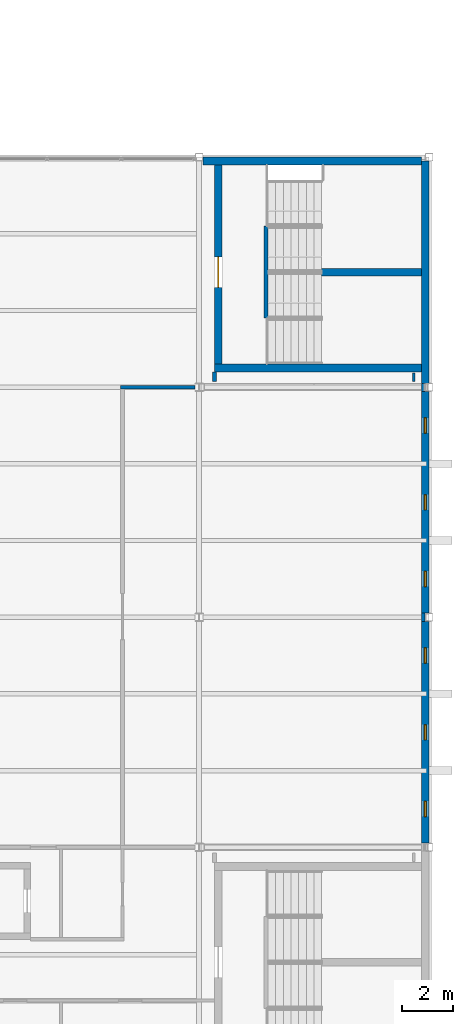
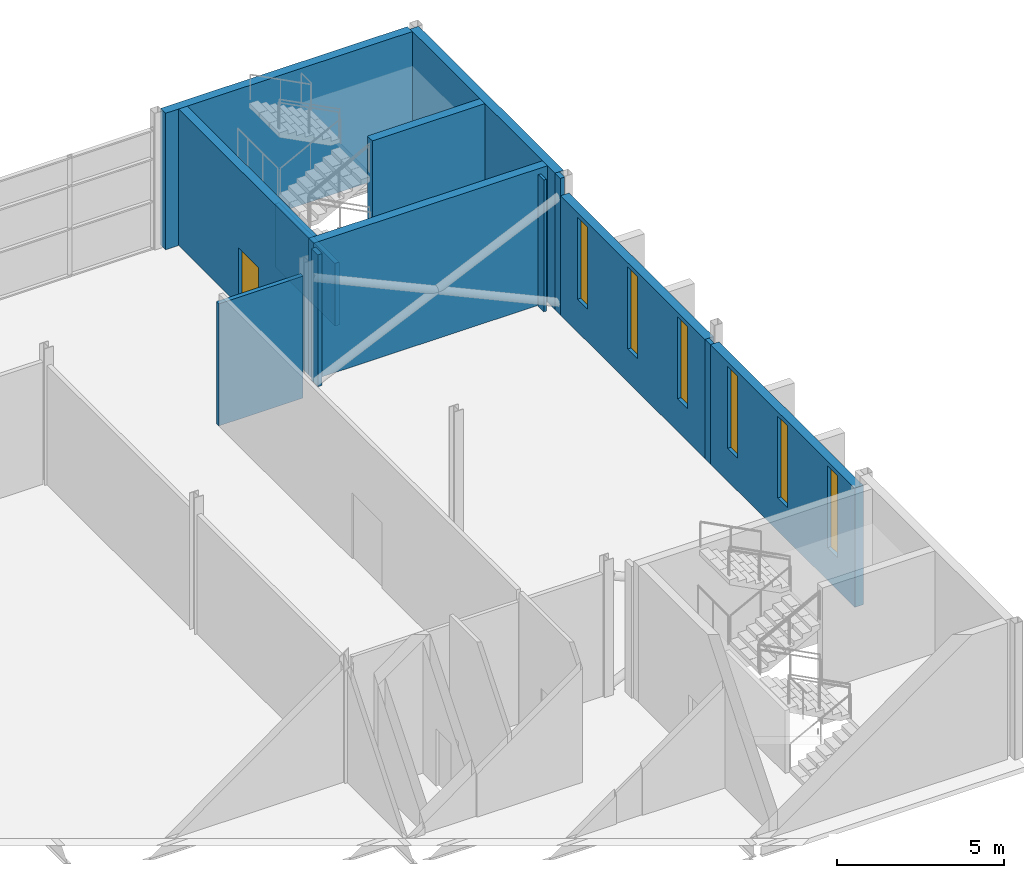
# One storey, part 89 of 112: 13 walls, 6 windows, 1 door, 7 openings.
"""IFC4 building model written with IfcOpenShell, lengths in metres."""

from ifc_helpers import new_model, si_unit, direction, frame, frame_2d, origin, place, context, subcontext, project, spatial, rectangle, extrude, material, layer, layer_set, type_object, element, fill, save


model = new_model("IFC4")

# Units and contexts
model_context = context("Model", 3, precision=1e-05, world=origin(), true_north=direction((0.0, 1.0)))
body_context = subcontext(model_context, "Body", "Model", "MODEL_VIEW")
ifc_project = project(units=[si_unit("LENGTHUNIT", "METRE"), si_unit("AREAUNIT", "SQUARE_METRE"), si_unit("VOLUMEUNIT", "CUBIC_METRE"), si_unit("PLANEANGLEUNIT", "RADIAN"), si_unit("MASSUNIT", "GRAM", prefix="KILO")], contexts=[model_context])

# Site, building, storey
site_placement = place(None, origin())
site = spatial("IfcSite", under=ifc_project, at=site_placement, CompositionType="ELEMENT")
building_placement = place(site_placement, origin())
building = spatial("IfcBuilding", under=site, at=building_placement, Name="Shorebreak Coast Museum", CompositionType="ELEMENT")
storey_placement = place(building_placement, frame((0.0, 0.0, 6.0)))
storey = spatial("IfcBuildingStorey", under=building, at=storey_placement, Name="L01", CompositionType="ELEMENT", Elevation=6.0)

# Walls
ifc_material_1 = material(Name="Concrete N50 (50 MPa)", Category="concrete")
ifc_layer_1 = layer(ifc_material_1, 0.14990234375)
ifc_layer_set_1 = layer_set([ifc_layer_1], Name="Concrete N50 (50 MPa)")
wall_type_1 = type_object("IfcWallType", Name="Column closure panel 150", PredefinedType="SOLIDWALL", material=ifc_layer_set_1)
wall_1_placement = place(storey_placement, frame((170.77490234375, 71.839111328125, 0.0), z_axis=(0.0, 0.0, 1.0), x_axis=(0.0, 1.0, 0.0)))
element("IfcWall", 1, at=wall_1_placement, inside=storey, type_object=wall_type_1, Name="Column closure panel L01 E 20J", PredefinedType="SOLIDWALL", context=body_context, shape_type="SweptSolid", body=[
    extrude(rectangle(XDim=0.32177734375, YDim=0.14990234375, at=frame_2d((0.160888671875, 0.0))), origin(), (0.0, 0.0, 1.0), 4.364501953125),
])
wall_2_placement = place(storey_placement, frame((170.77490234375, 80.827880859375, 0.0), z_axis=(0.0, 0.0, 1.0), x_axis=(0.0, 1.0, 0.0)))
element("IfcWall", 2, at=wall_2_placement, inside=storey, type_object=wall_type_1, Name="Column closure panel L01 E 20K", PredefinedType="SOLIDWALL", context=body_context, shape_type="SweptSolid", body=[
    extrude(rectangle(XDim=0.322021484375, YDim=0.14990234375, at=frame_2d((0.1611328125, 0.0))), origin(), (0.0, 0.0, 1.0), 5.0),
])
ifc_material_2 = material(Name="Plasterboard on steel stud", Category="steel")
ifc_layer_2 = layer(ifc_material_2, 0.14990234375)
ifc_layer_set_2 = layer_set([ifc_layer_2], Name="Plasterboard on steel stud")
wall_type_2 = type_object("IfcWallType", Name="Fire partition 150", PredefinedType="PARTITIONING", material=ifc_layer_set_2)
wall_3_placement = place(storey_placement, frame((158.925048828125, 81.0, 0.0), z_axis=(0.0, 0.0, 1.0), x_axis=(1.0, 0.0, 0.0)))
element("IfcWall", 3, at=wall_3_placement, inside=storey, type_object=wall_type_2, Name="Partition L01-056", PredefinedType="PARTITIONING", context=body_context, shape_type="SweptSolid", body=[
    extrude(rectangle(XDim=2.92041015625, YDim=0.14990234375, at=frame_2d((1.460205078125, 0.0))), origin(), (0.0, 0.0, 1.0), 4.469482421875),
])
wall_4_placement = place(storey_placement, frame((162.60009765625, 81.219970703125, 0.0), z_axis=(0.0, 0.0, 1.0), x_axis=(0.0, 1.0, 0.0)))
element("IfcWall", 4, at=wall_4_placement, inside=storey, type_object=wall_type_2, Name="Partition L01-183", PredefinedType="PARTITIONING", context=body_context, shape_type="SweptSolid", body=[
    extrude(rectangle(XDim=0.380126953125, YDim=0.14990234375, at=frame_2d((0.18994140625, 0.0))), origin(), (0.0, 0.0, 1.0), 4.824951171875),
])
ifc_material_3 = material(Name="Plasterboard on steel stud", Category="steel")
ifc_layer_3 = layer(ifc_material_3, 0.10009765625)
ifc_layer_set_3 = layer_set([ifc_layer_3], Name="Plasterboard on steel stud")
wall_type_3 = type_object("IfcWallType", Name="Partition 100", PredefinedType="PARTITIONING", material=ifc_layer_set_3)
wall_5_placement = place(storey_placement, frame((170.39990234375, 81.219970703125, 0.0), z_axis=(0.0, 0.0, 1.0), x_axis=(0.0, 1.0, 0.0)))
element("IfcWall", 5, at=wall_5_placement, inside=storey, type_object=wall_type_3, Name="Partition L01-185", PredefinedType="PARTITIONING", context=body_context, shape_type="SweptSolid", body=[
    extrude(rectangle(XDim=0.330078125, YDim=0.10009765625, at=frame_2d((0.1650390625, 0.0))), origin(), (0.0, 0.0, 1.0), 4.824951171875),
])

# Wall, openings, windows
ifc_material_4 = material(Name="Concrete N50 (50 MPa)", Category="concrete")
ifc_layer_4 = layer(ifc_material_4, 0.300048828125)
ifc_layer_set_4 = layer_set([ifc_layer_4], Name="Concrete N50 (50 MPa)")
wall_type_4 = type_object("IfcWallType", Name="Precast board-marked panel 300", PredefinedType="SOLIDWALL", material=ifc_layer_set_4)
wall_6_placement = place(storey_placement, frame((170.85009765625, 63.172119140625, 0.0), z_axis=(0.0, 0.0, 1.0), x_axis=(0.0, 1.0, 0.0)))
wall_6 = element("IfcWall", 6, at=wall_6_placement, inside=storey, type_object=wall_type_4, Name="External wall L01 E 20H", PredefinedType="SOLIDWALL", context=body_context, shape_type="SweptSolid", body=[
    extrude(rectangle(XDim=8.6669921875, YDim=0.300048828125, at=frame_2d((4.33349609375, 0.0))), origin(), (0.0, 0.0, 1.0), 4.364501953125),
])
opening_1_placement = place(wall_6_placement, frame((1.028076171875, 0.0, 1.199951171875)))
opening_1 = element("IfcOpeningElement", 7, at=opening_1_placement, cuts=wall_6, Name="Opening WN1008", PredefinedType="OPENING", context=body_context, shape_type="SweptSolid", body=[
    extrude(rectangle(XDim=0.60009765625, YDim=3.0, at=frame_2d((0.300048828125, 1.5))), frame((0.0, 0.159912109375, 0.0), z_axis=(0.0, -1.0, 0.0), x_axis=(1.0, 0.0, 0.0)), (0.0, 0.0, 1.0), 0.320068359375),
])
opening_2_placement = place(wall_6_placement, frame((4.028076171875, 0.0, 1.199951171875)))
opening_2 = element("IfcOpeningElement", 8, at=opening_2_placement, cuts=wall_6, Name="Opening WN1009", PredefinedType="OPENING", context=body_context, shape_type="SweptSolid", body=[
    extrude(rectangle(XDim=0.60009765625, YDim=3.0, at=frame_2d((0.300048828125, 1.5))), frame((0.0, 0.159912109375, 0.0), z_axis=(0.0, -1.0, 0.0), x_axis=(1.0, 0.0, 0.0)), (0.0, 0.0, 1.0), 0.320068359375),
])
opening_3_placement = place(wall_6_placement, frame((7.028076171875, 0.0, 1.199951171875)))
opening_3 = element("IfcOpeningElement", 9, at=opening_3_placement, cuts=wall_6, Name="Opening WN1010", PredefinedType="OPENING", context=body_context, shape_type="SweptSolid", body=[
    extrude(rectangle(XDim=0.60009765625, YDim=3.0, at=frame_2d((0.300048828125, 1.5))), frame((0.0, 0.159912109375, 0.0), z_axis=(0.0, -1.0, 0.0), x_axis=(1.0, 0.0, 0.0)), (0.0, 0.0, 1.0), 0.320068359375),
])
ifc_material_5 = material(Name="Aluminium", Category="aluminium")
window_type = type_object("IfcWindowType", Name="Hall slot window 600 x 3000", PartitioningType="SINGLE_PANEL", PredefinedType="WINDOW", material=ifc_material_5)
window_1_placement = place(opening_1_placement, origin())
window_1 = element("IfcWindow", 10, at=window_1_placement, inside=storey, type_object=window_type, Name="Window WN1008", OverallHeight=3.0, OverallWidth=0.60009765625, PartitioningType="SINGLE_PANEL", PredefinedType="WINDOW", context=body_context, shape_type="SweptSolid", body=[
    extrude(rectangle(XDim=0.60009765625, YDim=3.0, at=frame_2d((0.300048828125, 1.5))), frame((0.0, 0.030029296875, 0.0), z_axis=(0.0, -1.0, 0.0), x_axis=(1.0, 0.0, 0.0)), (0.0, 0.0, 1.0), 0.06005859375),
])
fill(opening_1, window_1)
window_2_placement = place(opening_2_placement, origin())
window_2 = element("IfcWindow", 11, at=window_2_placement, inside=storey, type_object=window_type, Name="Window WN1009", OverallHeight=3.0, OverallWidth=0.60009765625, PartitioningType="SINGLE_PANEL", PredefinedType="WINDOW", context=body_context, shape_type="SweptSolid", body=[
    extrude(rectangle(XDim=0.60009765625, YDim=3.0, at=frame_2d((0.300048828125, 1.5))), frame((0.0, 0.030029296875, 0.0), z_axis=(0.0, -1.0, 0.0), x_axis=(1.0, 0.0, 0.0)), (0.0, 0.0, 1.0), 0.06005859375),
])
fill(opening_2, window_2)
window_3_placement = place(opening_3_placement, origin())
window_3 = element("IfcWindow", 12, at=window_3_placement, inside=storey, type_object=window_type, Name="Window WN1010", OverallHeight=3.0, OverallWidth=0.60009765625, PartitioningType="SINGLE_PANEL", PredefinedType="WINDOW", context=body_context, shape_type="SweptSolid", body=[
    extrude(rectangle(XDim=0.60009765625, YDim=3.0, at=frame_2d((0.300048828125, 1.5))), frame((0.0, 0.030029296875, 0.0), z_axis=(0.0, -1.0, 0.0), x_axis=(1.0, 0.0, 0.0)), (0.0, 0.0, 1.0), 0.06005859375),
])
fill(opening_3, window_3)

wall_7_placement = place(storey_placement, frame((170.85009765625, 72.160888671875, 0.0), z_axis=(0.0, 0.0, 1.0), x_axis=(0.0, 1.0, 0.0)))
wall_7 = element("IfcWall", 13, at=wall_7_placement, inside=storey, type_object=wall_type_4, Name="External wall L01 E 20J", PredefinedType="SOLIDWALL", context=body_context, shape_type="SweptSolid", body=[
    extrude(rectangle(XDim=8.6669921875, YDim=0.300048828125, at=frame_2d((4.33349609375, 0.0))), origin(), (0.0, 0.0, 1.0), 4.364501953125),
])
opening_4_placement = place(wall_7_placement, frame((1.0390625, 0.0, 1.199951171875)))
opening_4 = element("IfcOpeningElement", 14, at=opening_4_placement, cuts=wall_7, Name="Opening WN1011", PredefinedType="OPENING", context=body_context, shape_type="SweptSolid", body=[
    extrude(rectangle(XDim=0.60009765625, YDim=3.0, at=frame_2d((0.300048828125, 1.5))), frame((0.0, 0.159912109375, 0.0), z_axis=(0.0, -1.0, 0.0), x_axis=(1.0, 0.0, 0.0)), (0.0, 0.0, 1.0), 0.320068359375),
])
opening_5_placement = place(wall_7_placement, frame((4.0390625, 0.0, 1.199951171875)))
opening_5 = element("IfcOpeningElement", 15, at=opening_5_placement, cuts=wall_7, Name="Opening WN1012", PredefinedType="OPENING", context=body_context, shape_type="SweptSolid", body=[
    extrude(rectangle(XDim=0.60009765625, YDim=3.0, at=frame_2d((0.300048828125, 1.5))), frame((0.0, 0.159912109375, 0.0), z_axis=(0.0, -1.0, 0.0), x_axis=(1.0, 0.0, 0.0)), (0.0, 0.0, 1.0), 0.320068359375),
])
opening_6_placement = place(wall_7_placement, frame((7.0390625, 0.0, 1.199951171875)))
opening_6 = element("IfcOpeningElement", 16, at=opening_6_placement, cuts=wall_7, Name="Opening WN1013", PredefinedType="OPENING", context=body_context, shape_type="SweptSolid", body=[
    extrude(rectangle(XDim=0.60009765625, YDim=3.0, at=frame_2d((0.300048828125, 1.5))), frame((0.0, 0.159912109375, 0.0), z_axis=(0.0, -1.0, 0.0), x_axis=(1.0, 0.0, 0.0)), (0.0, 0.0, 1.0), 0.320068359375),
])
window_4_placement = place(opening_4_placement, origin())
window_4 = element("IfcWindow", 17, at=window_4_placement, inside=storey, type_object=window_type, Name="Window WN1011", OverallHeight=3.0, OverallWidth=0.60009765625, PartitioningType="SINGLE_PANEL", PredefinedType="WINDOW", context=body_context, shape_type="SweptSolid", body=[
    extrude(rectangle(XDim=0.60009765625, YDim=3.0, at=frame_2d((0.300048828125, 1.5))), frame((0.0, 0.030029296875, 0.0), z_axis=(0.0, -1.0, 0.0), x_axis=(1.0, 0.0, 0.0)), (0.0, 0.0, 1.0), 0.06005859375),
])
fill(opening_4, window_4)
window_5_placement = place(opening_5_placement, origin())
window_5 = element("IfcWindow", 18, at=window_5_placement, inside=storey, type_object=window_type, Name="Window WN1012", OverallHeight=3.0, OverallWidth=0.60009765625, PartitioningType="SINGLE_PANEL", PredefinedType="WINDOW", context=body_context, shape_type="SweptSolid", body=[
    extrude(rectangle(XDim=0.60009765625, YDim=3.0, at=frame_2d((0.300048828125, 1.5))), frame((0.0, 0.030029296875, 0.0), z_axis=(0.0, -1.0, 0.0), x_axis=(1.0, 0.0, 0.0)), (0.0, 0.0, 1.0), 0.06005859375),
])
fill(opening_5, window_5)
window_6_placement = place(opening_6_placement, origin())
window_6 = element("IfcWindow", 19, at=window_6_placement, inside=storey, type_object=window_type, Name="Window WN1013", OverallHeight=3.0, OverallWidth=0.60009765625, PartitioningType="SINGLE_PANEL", PredefinedType="WINDOW", context=body_context, shape_type="SweptSolid", body=[
    extrude(rectangle(XDim=0.60009765625, YDim=3.0, at=frame_2d((0.300048828125, 1.5))), frame((0.0, 0.030029296875, 0.0), z_axis=(0.0, -1.0, 0.0), x_axis=(1.0, 0.0, 0.0)), (0.0, 0.0, 1.0), 0.06005859375),
])
fill(opening_6, window_6)

# Walls
ifc_material_6 = material(Name="Concrete N50 (50 MPa)", Category="concrete")
ifc_layer_5 = layer(ifc_material_6, 0.300048828125)
ifc_layer_set_5 = layer_set([ifc_layer_5], Name="Concrete N50 (50 MPa)")
wall_type_5 = type_object("IfcWallType", Name="RC wall 300", PredefinedType="SHEAR", material=ifc_layer_set_5)
wall_8_placement = place(storey_placement, frame((162.60009765625, 81.75, 0.0), z_axis=(0.0, 0.0, 1.0), x_axis=(1.0, 0.0, 0.0)))
element("IfcWall", 20, at=wall_8_placement, inside=storey, type_object=wall_type_5, Name="Stair core wall ST08 L01 S", PredefinedType="SHEAR", context=body_context, shape_type="SweptSolid", body=[
    extrude(rectangle(XDim=8.099853515625, YDim=0.300048828125, at=frame_2d((4.0498046875, 0.0))), origin(), (0.0, 0.0, 1.0), 5.0),
])
wall_9_placement = place(storey_placement, frame((162.14990234375, 89.85009765625, 0.0), z_axis=(0.0, 0.0, 1.0), x_axis=(1.0, 0.0, 0.0)))
element("IfcWall", 21, at=wall_9_placement, inside=storey, type_object=wall_type_5, Name="Stair core wall ST08 L01 N", PredefinedType="SHEAR", context=body_context, shape_type="SweptSolid", body=[
    extrude(rectangle(XDim=8.550048828125, YDim=0.300048828125, at=frame_2d((4.27490234375, 0.0))), origin(), (0.0, 0.0, 1.0), 5.0),
])

# Wall, opening, door
wall_10_placement = place(storey_placement, frame((162.75, 81.89990234375, 0.0), z_axis=(0.0, 0.0, 1.0), x_axis=(0.0, 1.0, 0.0)))
wall_10 = element("IfcWall", 22, at=wall_10_placement, inside=storey, type_object=wall_type_5, Name="Stair core wall ST08 L01 W", PredefinedType="SHEAR", context=body_context, shape_type="SweptSolid", body=[
    extrude(rectangle(XDim=7.800048828125, YDim=0.300048828125, at=frame_2d((3.89990234375, 0.0))), origin(), (0.0, 0.0, 1.0), 5.0),
])
opening_7_placement = place(wall_10_placement, frame((3.0, 0.0, 0.0)))
opening_7 = element("IfcOpeningElement", 23, at=opening_7_placement, cuts=wall_10, Name="Opening D1808", PredefinedType="OPENING", context=body_context, shape_type="SweptSolid", body=[
    extrude(rectangle(XDim=1.199951171875, YDim=2.10009765625, at=frame_2d((0.60009765625, 1.050048828125))), frame((0.0, 0.159912109375, 0.0), z_axis=(0.0, -1.0, 0.0), x_axis=(1.0, 0.0, 0.0)), (0.0, 0.0, 1.0), 0.320068359375),
])
ifc_material_7 = material(Name="Steel Grade 300", Category="steel")
door_type = type_object("IfcDoorType", Name="Fire door 1200x2100", OperationType="SINGLE_SWING_LEFT", PredefinedType="DOOR", material=ifc_material_7)
door_placement = place(opening_7_placement, origin())
door = element("IfcDoor", 24, at=door_placement, inside=storey, type_object=door_type, Name="Stair door ST08 L01", OperationType="SINGLE_SWING_LEFT", OverallHeight=2.10009765625, OverallWidth=1.199951171875, PredefinedType="DOOR", context=body_context, shape_type="SweptSolid", body=[
    extrude(rectangle(XDim=1.199951171875, YDim=2.10009765625, at=frame_2d((0.60009765625, 1.050048828125))), frame((0.0, 0.02490234375, 0.0), z_axis=(0.0, -1.0, 0.0), x_axis=(1.0, 0.0, 0.0)), (0.0, 0.0, 1.0), 0.050048828125),
])
fill(opening_7, door)

# Walls
wall_11_placement = place(storey_placement, frame((170.85009765625, 81.14990234375, 0.0), z_axis=(0.0, 0.0, 1.0), x_axis=(0.0, 1.0, 0.0)))
element("IfcWall", 25, at=wall_11_placement, inside=storey, type_object=wall_type_5, Name="Stair core wall ST08 L01 E", PredefinedType="SHEAR", context=body_context, shape_type="SweptSolid", body=[
    extrude(rectangle(XDim=8.7001953125, YDim=0.300048828125, at=frame_2d((4.35009765625, 0.0))), origin(), (0.0, 0.0, 1.0), 5.0),
])
wall_12_placement = place(storey_placement, frame((166.800048828125, 85.5, 0.0), z_axis=(0.0, 0.0, 1.0), x_axis=(1.0, 0.0, 0.0)))
element("IfcWall", 26, at=wall_12_placement, inside=storey, type_object=wall_type_5, Name="Stair spine wall ST08 L01", PredefinedType="SHEAR", context=body_context, shape_type="SweptSolid", body=[
    extrude(rectangle(XDim=3.89990234375, YDim=0.300048828125, at=frame_2d((1.949951171875, 0.0))), origin(), (0.0, 0.0, 1.0), 5.0),
])
ifc_material_8 = material(Name="Concrete N50 (50 MPa)", Category="concrete")
ifc_layer_6 = layer(ifc_material_8, 0.14990234375)
ifc_layer_set_6 = layer_set([ifc_layer_6], Name="Concrete N50 (50 MPa)")
wall_type_6 = type_object("IfcWallType", Name="Understair wall 150", PredefinedType="STANDARD", material=ifc_layer_set_6)
wall_13_placement = place(storey_placement, frame((164.625, 83.699951171875, 0.0), z_axis=(0.0, 0.0, 1.0), x_axis=(0.0, 1.0, 0.0)))
element("IfcWall", 27, at=wall_13_placement, inside=storey, type_object=wall_type_6, Name="Understair wall ST08 L01 floor", PredefinedType="STANDARD", context=body_context, shape_type="SweptSolid", body=[
    extrude(rectangle(XDim=3.60009765625, YDim=0.14990234375, at=frame_2d((1.800048828125, 0.0))), origin(), (0.0, 0.0, 1.0), 2.300048828125),
])

save(model, "model.ifc")
